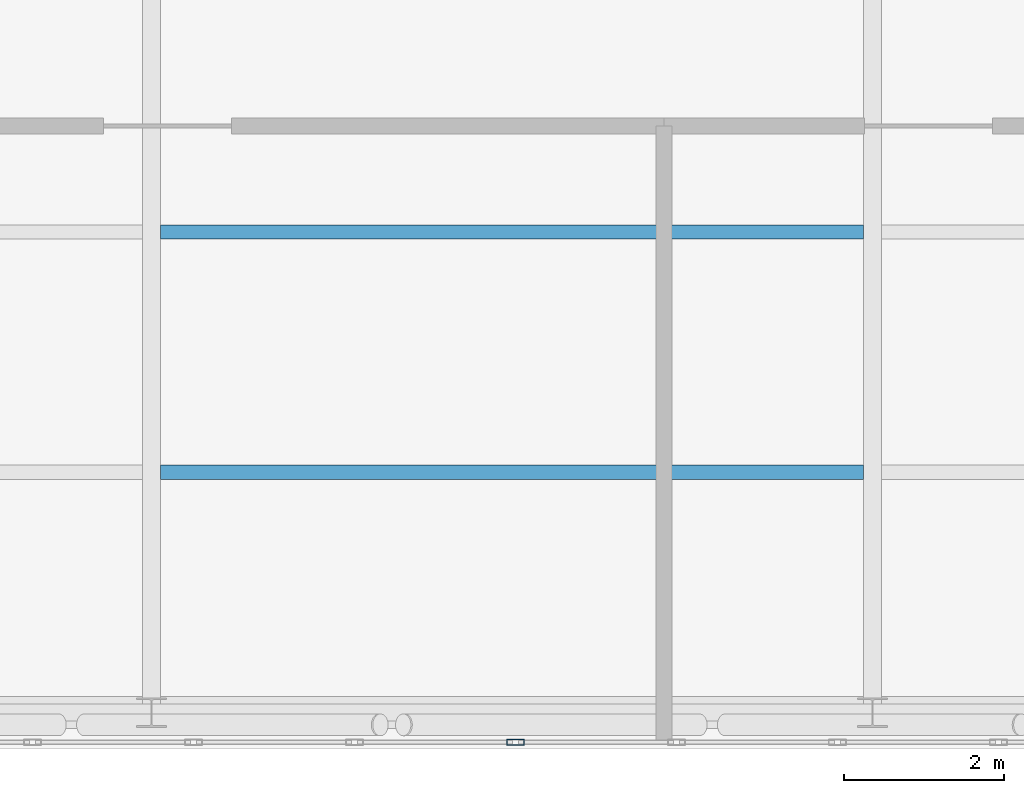
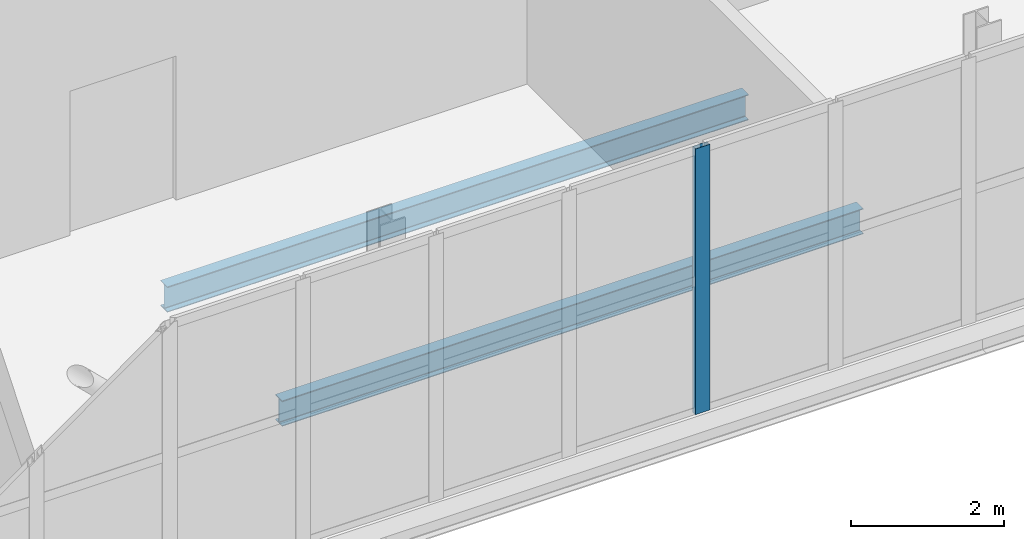
# One storey, part 8 of 21: 2 beams, 1 member, 1 element without a shape of its own.
"""IFC4 building model written with IfcOpenShell, lengths in metres."""

import ifcopenshell
import ifcopenshell.guid

model = None  # the IFC model being written
_history = None  # IfcOwnerHistory: only IFC2X3 demands one
_inside = {}  # id of a spatial element -> (the spatial element, [elements in it])
_under = {}  # id of a project, library or spatial element -> (it, [spatial elements below it])
_declared = {}  # id of a project -> (the project, [libraries it declares])
_typed = {}  # id of a type object -> (the type object, [elements of that type])
_made_of = {}  # id of a material, layer set ... -> (it, [elements and type objects made of it])


def new_model(schema):
    """Start an empty IFC model of exactly this schema.

    Asked for "IFC4X3", IfcOpenShell would pick the latest addendum, in which some entities
    have other attributes; the version numbers below select the first issue.
    IFC2X3 requires an IfcOwnerHistory on every rooted entity: one is made here for all.
    """
    global model, _history
    if schema == "IFC4X3":
        model = ifcopenshell.file(schema_version=(4, 3, 0, 0))
    else:
        model = ifcopenshell.file(schema=schema)
    _inside.clear()
    _under.clear()
    _declared.clear()
    _typed.clear()
    _made_of.clear()
    _history = None
    if model.schema == "IFC2X3":
        org = make("IfcOrganization", Name="unknown")
        user = make(
            "IfcPersonAndOrganization",
            ThePerson=make("IfcPerson", FamilyName="unknown"),
            TheOrganization=org,
        )
        app = make(
            "IfcApplication",
            ApplicationDeveloper=org,
            Version="unknown",
            ApplicationFullName="unknown",
            ApplicationIdentifier="unknown",
        )
        _history = make(
            "IfcOwnerHistory",
            OwningUser=user,
            OwningApplication=app,
            ChangeAction="ADDED",
            CreationDate=0,
        )
    return model


def make(cls, **values):
    """One entity of the class cls with the attributes given. An attribute that is None is left unset."""
    return model.create_entity(
        cls, **{name: value for name, value in values.items() if value is not None}
    )


def rooted(cls, **values):
    """An entity with a GlobalId (a new one), such as an element, a storey or a relation."""
    return make(cls, GlobalId=ifcopenshell.guid.new(), OwnerHistory=_history, **values)


def si_unit(unit_type, name, prefix=None):
    """IfcSIUnit, for example si_unit("LENGTHUNIT", "METRE", prefix="MILLI")."""
    return make("IfcSIUnit", UnitType=unit_type, Prefix=prefix, Name=name)


def assignment(units):
    """IfcUnitAssignment: the units of a project."""
    return None if units is None else make("IfcUnitAssignment", Units=units)


def point(xyz):
    """IfcCartesianPoint."""
    return None if xyz is None else make("IfcCartesianPoint", Coordinates=xyz)


def direction(xyz):
    """IfcDirection."""
    return None if xyz is None else make("IfcDirection", DirectionRatios=xyz)


def frame(location, z_axis=None, x_axis=None):
    """IfcAxis2Placement3D, a coordinate frame: its origin and axes. An axis left out is left unset."""
    return make(
        "IfcAxis2Placement3D",
        Location=point(location),
        Axis=direction(z_axis),
        RefDirection=direction(x_axis),
    )


def frame_2d(location, x_axis=None):
    """IfcAxis2Placement2D, a coordinate frame in the plane: its origin and x axis."""
    return make(
        "IfcAxis2Placement2D", Location=point(location), RefDirection=direction(x_axis)
    )


def origin():
    """The frame at (0, 0, 0) with its axes left unset."""
    return frame((0.0, 0.0, 0.0))


def origin_2d():
    """The frame at (0, 0) in the plane with its x axis left unset."""
    return frame_2d((0.0, 0.0))


def place(relative_to, where):
    """IfcLocalPlacement: puts the frame where relative to a parent placement (None: the world)."""
    return make(
        "IfcLocalPlacement", PlacementRelTo=relative_to, RelativePlacement=where
    )


def context(
    kind, dimensions, precision=None, world=None, true_north=None, identifier=None
):
    """IfcGeometricRepresentationContext, for example the 3D "Model" context."""
    return make(
        "IfcGeometricRepresentationContext",
        ContextIdentifier=identifier,
        ContextType=kind,
        CoordinateSpaceDimension=dimensions,
        Precision=precision,
        WorldCoordinateSystem=world,
        TrueNorth=true_north,
    )


def subcontext(parent, identifier, kind, view, scale=None):
    """IfcGeometricRepresentationSubContext, for example "Body" below "Model"."""
    return make(
        "IfcGeometricRepresentationSubContext",
        ContextIdentifier=identifier,
        ContextType=kind,
        ParentContext=parent,
        TargetScale=scale,
        TargetView=view,
    )


def project(units=None, contexts=None):
    """IfcProject with its units and contexts."""
    return rooted(
        "IfcProject",
        Name="project",
        RepresentationContexts=contexts,
        UnitsInContext=assignment(units),
    )


def spatial(cls, under=None, at=None, **own):
    """A site, building, storey or space (cls), placed at a placement, below another one or the project."""
    s = rooted(cls, ObjectPlacement=at, **own)
    if under is not None:
        _under.setdefault(under.id(), (under, []))[1].append(s)
    return s


def profile(cls, at=None, kind="AREA", **sizes):
    """A parametric profile (cls). Its sizes go by their IFC names, for example OverallWidth=200.0."""
    return make(cls, ProfileType=kind, Position=at, **sizes)


def hollow_rectangle(**sizes):
    """IfcRectangleHollowProfileDef."""
    return profile("IfcRectangleHollowProfileDef", **sizes)


def i_section(**sizes):
    """IfcIShapeProfileDef."""
    return profile("IfcIShapeProfileDef", **sizes)


def extrude(swept, where, along, depth):
    """IfcExtrudedAreaSolid: the profile swept, set in the frame where, extruded along a direction by depth."""
    return make(
        "IfcExtrudedAreaSolid",
        SweptArea=swept,
        Position=where,
        ExtrudedDirection=direction(along),
        Depth=depth,
    )


def shape(context_of_items, identifier, shape_type, items):
    """IfcShapeRepresentation: the items that make up one representation, for example the "Body"."""
    return make(
        "IfcShapeRepresentation",
        ContextOfItems=context_of_items,
        RepresentationIdentifier=identifier,
        RepresentationType=shape_type,
        Items=items,
    )


def material(Name=None, Category=None):
    """IfcMaterial."""
    return make("IfcMaterial", Name=Name, Category=Category)


def layer(
    of_material, thickness, ventilated=None, Name=None, Category=None, Priority=None
):
    """IfcMaterialLayer: one layer of a wall or slab, of a material (None: an air gap)."""
    return make(
        "IfcMaterialLayer",
        Material=of_material,
        LayerThickness=thickness,
        IsVentilated=ventilated,
        Name=Name,
        Category=Category,
        Priority=Priority,
    )


def layer_set(layers, Name=None):
    """IfcMaterialLayerSet."""
    return make("IfcMaterialLayerSet", MaterialLayers=layers, LayerSetName=Name)


def material_profile(
    of_material, cross_section, Name=None, Category=None, Priority=None
):
    """IfcMaterialProfile: a cross section and its material."""
    return make(
        "IfcMaterialProfile",
        Name=Name,
        Material=of_material,
        Profile=cross_section,
        Priority=Priority,
        Category=Category,
    )


def profile_set(profiles, Name=None, composite=None):
    """IfcMaterialProfileSet."""
    return make(
        "IfcMaterialProfileSet",
        Name=Name,
        MaterialProfiles=profiles,
        CompositeProfile=composite,
    )


def made_of(thing, what):
    """Note that an element or type object is made of a material, layer set ...; save() writes the relation."""
    if what is not None:
        _made_of.setdefault(what.id(), (what, []))[1].append(thing)
    return thing


def type_object(cls, material=None, **own):
    """A type object (cls), such as IfcWallType, which elements share."""
    return made_of(rooted(cls, **own), material)


def element(
    cls,
    number,
    at=None,
    inside=None,
    cuts=None,
    type_object=None,
    material=None,
    context=None,
    identifier="Body",
    shape_type=None,
    held_by="IfcProductDefinitionShape",
    body=None,
    shapes=None,
    **own,
):
    """One element of the class cls, such as IfcWall. Its Tag is "e" and its number.

    at: its placement. inside: the storey or other place that contains it. cuts: it is an
    opening in that element (IfcRelVoidsElement). A single representation is given by context,
    identifier, shape_type and body (its items); several are given by shapes. held_by: the class
    of the entity that holds the representations. save() writes the other relations.
    """
    e = rooted(cls, Tag="e%d" % number, ObjectPlacement=at, **own)
    if body is not None:
        shapes = [shape(context, identifier, shape_type, body)]
    if shapes is not None:
        e.Representation = make(held_by, Representations=shapes)
    if inside is not None:
        _inside.setdefault(inside.id(), (inside, []))[1].append(e)
    if cuts is not None:
        rooted(
            "IfcRelVoidsElement", RelatingBuildingElement=cuts, RelatedOpeningElement=e
        )
    if type_object is not None:
        _typed.setdefault(type_object.id(), (type_object, []))[1].append(e)
    return made_of(e, material)


def aggregate(whole, parts):
    """IfcRelAggregates: a whole, such as a stair, and the parts it consists of."""
    return rooted("IfcRelAggregates", RelatingObject=whole, RelatedObjects=parts)


def save(model, path):
    """Write the relations noted so far, then the file.

    IfcRelAggregates (storeys below a building ...), IfcRelContainedInSpatialStructure (elements
    in a storey), IfcRelDefinesByType, IfcRelAssociatesMaterial and IfcRelDeclares: one each for
    every whole, place, type object, material and project.
    """
    for whole, parts in _under.values():
        aggregate(whole, parts)
    for where, things in _inside.values():
        rooted(
            "IfcRelContainedInSpatialStructure",
            RelatedElements=things,
            RelatingStructure=where,
        )
    for kind, things in _typed.values():
        rooted("IfcRelDefinesByType", RelatedObjects=things, RelatingType=kind)
    for what, things in _made_of.values():
        rooted("IfcRelAssociatesMaterial", RelatedObjects=things, RelatingMaterial=what)
    for by, libraries in _declared.values():
        rooted("IfcRelDeclares", RelatingContext=by, RelatedDefinitions=libraries)
    model.write(path)


model = new_model("IFC4")

# Units and contexts
model_context = context("Model", 3, precision=1e-05, world=origin(), true_north=direction((0.0, 1.0)))
body_context = subcontext(model_context, "Body", "Model", "MODEL_VIEW")
ifc_project = project(units=[si_unit("LENGTHUNIT", "METRE"), si_unit("AREAUNIT", "SQUARE_METRE"), si_unit("VOLUMEUNIT", "CUBIC_METRE"), si_unit("PLANEANGLEUNIT", "RADIAN"), si_unit("MASSUNIT", "GRAM", prefix="KILO")], contexts=[model_context])

# Site, building, storey
site_placement = place(None, origin())
site = spatial("IfcSite", under=ifc_project, at=site_placement, CompositionType="ELEMENT")
building_placement = place(site_placement, origin())
building = spatial("IfcBuilding", under=site, at=building_placement, Name="Mawjdan Bourse Tower", CompositionType="ELEMENT")
storey_placement = place(building_placement, frame((0.0, 0.0, 317.699951171875)))
storey = spatial("IfcBuildingStorey", under=building, at=storey_placement, Name="L78", CompositionType="ELEMENT", Elevation=317.699951171875)

# Beams
ifc_material_1 = material(Name="Structural Steel S355", Category="steel")
ifc_material_profile_1 = material_profile(ifc_material_1, i_section(OverallWidth=0.177978515625, OverallDepth=0.406982421875, WebThickness=0.0078125, FlangeThickness=0.0126953125, FilletRadius=0.01025390625, at=origin_2d()), Name="W16X40")
ifc_profile_set_1 = profile_set([ifc_material_profile_1], Name="Structural Steel S355")
beam_type = type_object("IfcBeamType", Name="JST-W16X40", PredefinedType="JOIST", material=ifc_profile_set_1)
for number, where, z_axis, x_axis, name in (
    (1, (33.113037109375, 6.0, -0.4833984375), (1.0, 0.0, 0.0), (0.0, 1.0, 0.0), "L78 East Wing Composite Joist 012"),
    (2, (33.113037109375, 9.0, -0.4833984375), (1.0, 0.0, 0.0), (0.0, 1.0, 0.0), "L78 East Wing Composite Joist 015"),
):
    element("IfcBeam", number, at=place(storey_placement, frame(where, z_axis=z_axis, x_axis=x_axis)), inside=storey, type_object=beam_type, Name=name, PredefinedType="JOIST", context=body_context, shape_type="SweptSolid", body=[
        extrude(i_section(OverallWidth=0.177978515625, OverallDepth=0.406982421875, WebThickness=0.0078125, FlangeThickness=0.0126953125, FilletRadius=0.01025390625, at=origin_2d()), origin(), (0.0, 0.0, 1.0), 8.77392578125),
    ])

# Curtain wall, member
ifc_material_2 = material(Name="Thermally Broken Aluminium and Solar Glass", Category="aluminium")
ifc_layer = layer(ifc_material_2, 0.219970703125)
ifc_layer_set = layer_set([ifc_layer], Name="Thermally Broken Aluminium and Solar Glass")
curtain_wall_type = type_object("IfcCurtainWallType", Name="CW-CRN", PredefinedType="USERDEFINED", material=ifc_layer_set)
curtain_wall_placement = place(storey_placement, origin())
curtain_wall = element("IfcCurtainWall", 3, at=curtain_wall_placement, inside=storey, type_object=curtain_wall_type, Name="L78 Lantern Crown South Curtain Wall", ObjectType="LANTERN GLAZED CROWN", PredefinedType="USERDEFINED")
ifc_material_3 = material(Name="Thermally Broken Anodised Aluminium", Category="aluminium")
ifc_material_profile_2 = material_profile(ifc_material_3, hollow_rectangle(XDim=0.074951171875, YDim=0.219970703125, WallThickness=0.0048828125, at=origin_2d()), Name="ALU-MUL-220X75")
ifc_profile_set_2 = profile_set([ifc_material_profile_2], Name="Thermally Broken Anodised Aluminium")
member_type = type_object("IfcMemberType", Name="MUL-ALU-MUL-220X75", PredefinedType="MULLION", material=ifc_profile_set_2)
member_placement = place(storey_placement, frame((37.54296875, 2.6298828125, 0.0), z_axis=(0.0, 0.0, 1.0), x_axis=(0.0, 1.0, 0.0)))
member = element("IfcMember", 4, at=member_placement, type_object=member_type, Name="CW-CRN-L78-CRN-S mullion 16", PredefinedType="MULLION", context=body_context, shape_type="SweptSolid", body=[
    extrude(hollow_rectangle(XDim=0.074951171875, YDim=0.219970703125, WallThickness=0.0048828125, at=origin_2d()), origin(), (0.0, 0.0, 1.0), 4.239990234375),
])
aggregate(curtain_wall, [member])

save(model, "model.ifc")
